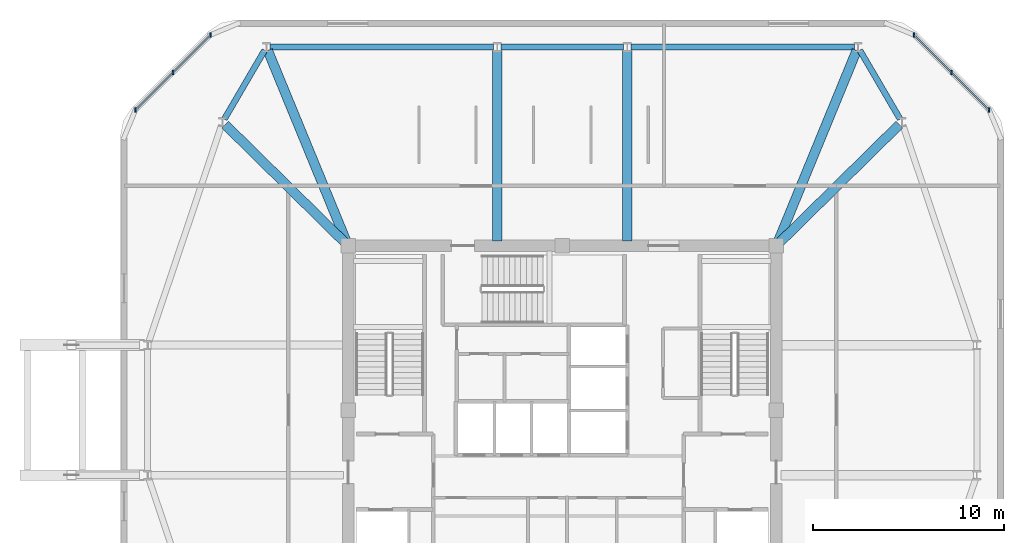
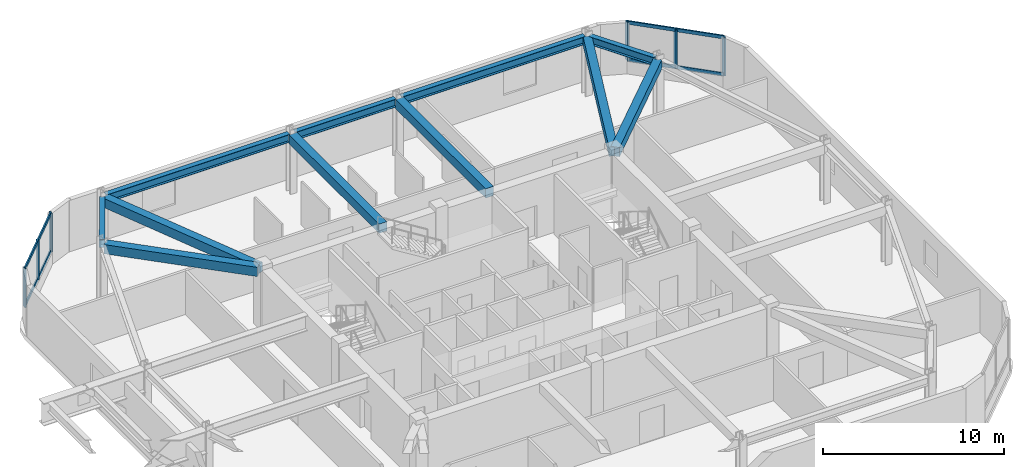
# One storey, part 4 of 9: 11 beams, 10 members, 2 elements without a shape of their own.
"""IFC4 building model written with IfcOpenShell, lengths in metres."""

from ifc_helpers import new_model, si_unit, derived_unit, direction, frame, origin, origin_2d, place, context, subcontext, project, spatial, rectangle, i_section, extrude, material, material_profile, profile_set, type_object, element, aggregate, save


model = new_model("IFC4")

# Units and contexts
model_context = context("Model", 3, precision=1e-05, world=origin(), true_north=direction((0.0, 1.0)))
body_context = subcontext(model_context, "Body", "Model", "MODEL_VIEW")
ifc_project = project(units=[si_unit("LENGTHUNIT", "METRE"), si_unit("AREAUNIT", "SQUARE_METRE"), si_unit("VOLUMEUNIT", "CUBIC_METRE"), si_unit("PLANEANGLEUNIT", "RADIAN"), si_unit("MASSUNIT", "GRAM", prefix="KILO"), derived_unit("THERMALTRANSMITTANCEUNIT", [(si_unit("POWERUNIT", "WATT"), 1), (si_unit("LENGTHUNIT", "METRE"), -2), (si_unit("THERMODYNAMICTEMPERATUREUNIT", "KELVIN"), -1)])], contexts=[model_context])

# Site, building, storey
site_placement = place(None, origin())
site = spatial("IfcSite", under=ifc_project, at=site_placement, CompositionType="ELEMENT")
building_placement = place(site_placement, origin())
building = spatial("IfcBuilding", under=site, at=building_placement, Name="Koralith Skygarden Medical Center", CompositionType="ELEMENT")
storey_placement = place(building_placement, frame((0.0, 0.0, 286.02001953125)))
storey = spatial("IfcBuildingStorey", under=building, at=storey_placement, Name="L74", CompositionType="ELEMENT", Elevation=286.02001953125)

# Curtain wall, members
ifc_material_1 = material(Name="Clear Laminated Glass", Category="glass")
curtain_wall_type = type_object("IfcCurtainWallType", Name="CW-8 Crown Lookout Low-Iron Curtain Wall", PredefinedType="NOTDEFINED", material=ifc_material_1)
curtain_wall_1_placement = place(storey_placement, origin())
curtain_wall_1 = element("IfcCurtainWall", 1, at=curtain_wall_1_placement, inside=storey, type_object=curtain_wall_type, Name="Curtain Wall CW-L74-NE", PredefinedType="NOTDEFINED")
ifc_material_2 = material(Name="Aluminium 6063-T6", Category="aluminium")
ifc_material_profile_1 = material_profile(ifc_material_2, rectangle(XDim=0.089111328125, YDim=0.25, at=origin_2d()), Name="MUL89X250")
ifc_profile_set_1 = profile_set([ifc_material_profile_1], Name="Aluminium 6063-T6")
member_type_1 = type_object("IfcMemberType", Name="CW-8 Extruded Mullion 89x250", PredefinedType="MULLION", material=ifc_profile_set_1)
member_1_placement = place(storey_placement, frame((59.319091796875, 41.595947265625, 0.85009765625), z_axis=(0.0, 0.0, 1.0), x_axis=(1.0, 0.0, 0.0)))
member_1 = element("IfcMember", 2, at=member_1_placement, type_object=member_type_1, Name="CW-L74-NE Mullion 1", PredefinedType="MULLION", context=body_context, shape_type="SweptSolid", body=[
    extrude(rectangle(XDim=0.089111328125, YDim=0.25, at=origin_2d()), origin(), (0.0, 0.0, 1.0), 2.60986328125),
])
member_2_placement = place(storey_placement, frame((57.35791015625, 43.556884765625, 0.85009765625), z_axis=(0.0, 0.0, 1.0), x_axis=(1.0, 0.0, 0.0)))
member_2 = element("IfcMember", 3, at=member_2_placement, type_object=member_type_1, Name="CW-L74-NE Mullion 2", PredefinedType="MULLION", context=body_context, shape_type="SweptSolid", body=[
    extrude(rectangle(XDim=0.089111328125, YDim=0.25, at=origin_2d()), origin(), (0.0, 0.0, 1.0), 2.60986328125),
])
member_3_placement = place(storey_placement, frame((55.39599609375, 45.51904296875, 0.85009765625), z_axis=(0.0, 0.0, 1.0), x_axis=(1.0, 0.0, 0.0)))
member_3 = element("IfcMember", 4, at=member_3_placement, type_object=member_type_1, Name="CW-L74-NE Mullion 3", PredefinedType="MULLION", context=body_context, shape_type="SweptSolid", body=[
    extrude(rectangle(XDim=0.089111328125, YDim=0.25, at=origin_2d()), origin(), (0.0, 0.0, 1.0), 2.60986328125),
])

curtain_wall_2_placement = place(storey_placement, origin())
curtain_wall_2 = element("IfcCurtainWall", 5, at=curtain_wall_2_placement, inside=storey, type_object=curtain_wall_type, Name="Curtain Wall CW-L74-NW", PredefinedType="NOTDEFINED")
member_4_placement = place(storey_placement, frame((18.60400390625, 45.51904296875, 0.85009765625), z_axis=(0.0, 0.0, 1.0), x_axis=(1.0, 0.0, 0.0)))
member_4 = element("IfcMember", 6, at=member_4_placement, type_object=member_type_1, Name="CW-L74-NW Mullion 1", PredefinedType="MULLION", context=body_context, shape_type="SweptSolid", body=[
    extrude(rectangle(XDim=0.089111328125, YDim=0.25, at=origin_2d()), origin(), (0.0, 0.0, 1.0), 2.60986328125),
])
member_5_placement = place(storey_placement, frame((16.64208984375, 43.556884765625, 0.85009765625), z_axis=(0.0, 0.0, 1.0), x_axis=(1.0, 0.0, 0.0)))
member_5 = element("IfcMember", 7, at=member_5_placement, type_object=member_type_1, Name="CW-L74-NW Mullion 2", PredefinedType="MULLION", context=body_context, shape_type="SweptSolid", body=[
    extrude(rectangle(XDim=0.089111328125, YDim=0.25, at=origin_2d()), origin(), (0.0, 0.0, 1.0), 2.60986328125),
])
member_6_placement = place(storey_placement, frame((14.680908203125, 41.595947265625, 0.85009765625), z_axis=(0.0, 0.0, 1.0), x_axis=(1.0, 0.0, 0.0)))
member_6 = element("IfcMember", 8, at=member_6_placement, type_object=member_type_1, Name="CW-L74-NW Mullion 3", PredefinedType="MULLION", context=body_context, shape_type="SweptSolid", body=[
    extrude(rectangle(XDim=0.089111328125, YDim=0.25, at=origin_2d()), origin(), (0.0, 0.0, 1.0), 2.60986328125),
])

# Member
ifc_material_profile_2 = material_profile(ifc_material_2, rectangle(XDim=0.083984375, YDim=0.22509765625, at=origin_2d()), Name="TRN84X225")
ifc_profile_set_2 = profile_set([ifc_material_profile_2], Name="Aluminium 6063-T6")
member_type_2 = type_object("IfcMemberType", Name="CW-8 Thermal Transom 84x225", PredefinedType="USERDEFINED", material=ifc_profile_set_2)
member_7_placement = place(storey_placement, frame((59.319091796875, 41.595947265625, 0.89990234375), z_axis=(-0.707106781187, 0.707106781187, 0.0), x_axis=(-0.707106781187, -0.707106781187, 0.0)))
member_7 = element("IfcMember", 9, at=member_7_placement, type_object=member_type_2, Name="CW-L74-NE Transom 1", ObjectType="TRANSOM", PredefinedType="USERDEFINED", context=body_context, shape_type="SweptSolid", body=[
    extrude(rectangle(XDim=0.083984375, YDim=0.22509765625, at=origin_2d()), origin(), (0.0, 0.0, 1.0), 5.548095703125),
])

member_8_placement = place(storey_placement, frame((59.319091796875, 41.595947265625, 3.409912109375), z_axis=(-0.707106781187, 0.707106781187, 0.0), x_axis=(-0.707106781187, -0.707106781187, 0.0)))
member_8 = element("IfcMember", 10, at=member_8_placement, type_object=member_type_2, Name="CW-L74-NE Transom 2", ObjectType="TRANSOM", PredefinedType="USERDEFINED", context=body_context, shape_type="SweptSolid", body=[
    extrude(rectangle(XDim=0.083984375, YDim=0.22509765625, at=origin_2d()), origin(), (0.0, 0.0, 1.0), 5.548095703125),
])

aggregate(curtain_wall_1, [member_1, member_2, member_3, member_7, member_8])

member_9_placement = place(storey_placement, frame((18.60400390625, 45.51904296875, 0.89990234375), z_axis=(-0.707106781187, -0.707106781187, 0.0), x_axis=(0.707106781187, -0.707106781187, 0.0)))
member_9 = element("IfcMember", 11, at=member_9_placement, type_object=member_type_2, Name="CW-L74-NW Transom 1", ObjectType="TRANSOM", PredefinedType="USERDEFINED", context=body_context, shape_type="SweptSolid", body=[
    extrude(rectangle(XDim=0.083984375, YDim=0.22509765625, at=origin_2d()), origin(), (0.0, 0.0, 1.0), 5.548095703125),
])

member_10_placement = place(storey_placement, frame((18.60400390625, 45.51904296875, 3.409912109375), z_axis=(-0.707106781187, -0.707106781187, 0.0), x_axis=(0.707106781187, -0.707106781187, 0.0)))
member_10 = element("IfcMember", 12, at=member_10_placement, type_object=member_type_2, Name="CW-L74-NW Transom 2", ObjectType="TRANSOM", PredefinedType="USERDEFINED", context=body_context, shape_type="SweptSolid", body=[
    extrude(rectangle(XDim=0.083984375, YDim=0.22509765625, at=origin_2d()), origin(), (0.0, 0.0, 1.0), 5.548095703125),
])

aggregate(curtain_wall_2, [member_4, member_5, member_6, member_9, member_10])

# Beams
ifc_material_3 = material(Name="Steel ASTM A992 Grade 50", Category="steel")
ifc_material_profile_3 = material_profile(ifc_material_3, i_section(OverallWidth=0.31201171875, OverallDepth=0.54296875, WebThickness=0.0126953125, FlangeThickness=0.020263671875, at=origin_2d()), Name="W21X101")
ifc_profile_set_3 = profile_set([ifc_material_profile_3], Name="Steel ASTM A992 Grade 50")
beam_type_1 = type_object("IfcBeamType", Name="Canopy Ring Beam W21X101", PredefinedType="SPANDREL", material=ifc_profile_set_3)
beam_1_placement = place(storey_placement, frame((54.6669921875, 41.1201171875, 3.7490234375), z_axis=(-0.504951618525, 0.863147648406, 0.0), x_axis=(-0.863147648406, -0.504951618525, 0.0)))
element("IfcBeam", 13, at=beam_1_placement, inside=storey, type_object=beam_type_1, Name="L74 Perimeter Spandrel Beam SP-10", PredefinedType="SPANDREL", context=body_context, shape_type="SweptSolid", body=[
    extrude(i_section(OverallWidth=0.31201171875, OverallDepth=0.54296875, WebThickness=0.0126953125, FlangeThickness=0.020263671875, at=origin_2d()), origin(), (0.0, 0.0, 1.0), 4.170654296875),
])
beam_2_placement = place(storey_placement, frame((52.282958984375, 44.8798828125, 3.7490234375), z_axis=(-1.0, 0.0, 0.0), x_axis=(0.0, -1.0, 0.0)))
element("IfcBeam", 14, at=beam_2_placement, inside=storey, type_object=beam_type_1, Name="L74 Perimeter Spandrel Beam SP-11", PredefinedType="SPANDREL", context=body_context, shape_type="SweptSolid", body=[
    extrude(i_section(OverallWidth=0.31201171875, OverallDepth=0.54296875, WebThickness=0.0126953125, FlangeThickness=0.020263671875, at=origin_2d()), origin(), (0.0, 0.0, 1.0), 11.697998046875),
])
beam_3_placement = place(storey_placement, frame((40.215087890625, 44.8798828125, 3.7490234375), z_axis=(-1.0, 0.0, 0.0), x_axis=(0.0, -1.0, 0.0)))
element("IfcBeam", 15, at=beam_3_placement, inside=storey, type_object=beam_type_1, Name="L74 Perimeter Spandrel Beam SP-12", PredefinedType="SPANDREL", context=body_context, shape_type="SweptSolid", body=[
    extrude(i_section(OverallWidth=0.31201171875, OverallDepth=0.54296875, WebThickness=0.0126953125, FlangeThickness=0.020263671875, at=origin_2d()), origin(), (0.0, 0.0, 1.0), 6.43017578125),
])
beam_4_placement = place(storey_placement, frame((33.4150390625, 44.8798828125, 3.7490234375), z_axis=(-1.0, 0.0, 0.0), x_axis=(0.0, -1.0, 0.0)))
element("IfcBeam", 16, at=beam_4_placement, inside=storey, type_object=beam_type_1, Name="L74 Perimeter Spandrel Beam SP-13", PredefinedType="SPANDREL", context=body_context, shape_type="SweptSolid", body=[
    extrude(i_section(OverallWidth=0.31201171875, OverallDepth=0.54296875, WebThickness=0.0126953125, FlangeThickness=0.020263671875, at=origin_2d()), origin(), (0.0, 0.0, 1.0), 11.697998046875),
])
beam_5_placement = place(storey_placement, frame((21.43896484375, 44.719970703125, 3.7490234375), z_axis=(-0.504951618525, -0.863147648406, 0.0), x_axis=(0.863147648406, -0.504951618525, 0.0)))
element("IfcBeam", 17, at=beam_5_placement, inside=storey, type_object=beam_type_1, Name="L74 Perimeter Spandrel Beam SP-14", PredefinedType="SPANDREL", context=body_context, shape_type="SweptSolid", body=[
    extrude(i_section(OverallWidth=0.31201171875, OverallDepth=0.54296875, WebThickness=0.0126953125, FlangeThickness=0.020263671875, at=origin_2d()), origin(), (0.0, 0.0, 1.0), 4.170654296875),
])
ifc_material_4 = material(Name="Concrete C45/55", Category="concrete")
ifc_material_profile_4 = material_profile(ifc_material_4, rectangle(XDim=0.5, YDim=0.6201171875, at=origin_2d()), Name="RCB500X620")
ifc_profile_set_4 = profile_set([ifc_material_profile_4], Name="Concrete C45/55")
beam_type_2 = type_object("IfcBeamType", Name="Upper Radial Collector Beam RCB500X620", PredefinedType="BEAM", material=ifc_profile_set_4)
beam_6_placement = place(storey_placement, frame((48.3779296875, 34.675048828125, 3.7099609375), z_axis=(0.712499385168, 0.701672734354, 0.0), x_axis=(-0.701672734354, 0.712499385168, 0.0)))
element("IfcBeam", 18, at=beam_6_placement, inside=storey, type_object=beam_type_2, Name="L74 Radial Collector Beam RB-10", PredefinedType="BEAM", context=body_context, shape_type="SweptSolid", body=[
    extrude(rectangle(XDim=0.5, YDim=0.6201171875, at=origin_2d()), origin(), (0.0, 0.0, 1.0), 8.77197265625),
])
beam_7_placement = place(storey_placement, frame((48.294921875, 34.73095703125, 3.7099609375), z_axis=(0.380308155568, 0.924859830898, 0.0), x_axis=(-0.924859830898, 0.380308155568, 0.0)))
element("IfcBeam", 19, at=beam_7_placement, inside=storey, type_object=beam_type_2, Name="L74 Radial Collector Beam RB-11", PredefinedType="BEAM", context=body_context, shape_type="SweptSolid", body=[
    extrude(rectangle(XDim=0.5, YDim=0.6201171875, at=origin_2d()), origin(), (0.0, 0.0, 1.0), 10.78857421875),
])
for number, where, z_axis, x_axis, name in (
    (20, (40.39990234375, 34.75, 3.7099609375), (0.0, 1.0, 0.0), (-1.0, 0.0, 0.0), "L74 Radial Collector Beam RB-12"),
    (21, (33.60009765625, 34.75, 3.7099609375), (0.0, 1.0, 0.0), (-1.0, 0.0, 0.0), "L74 Radial Collector Beam RB-13"),
):
    element("IfcBeam", number, at=place(storey_placement, frame(where, z_axis=z_axis, x_axis=x_axis)), inside=storey, type_object=beam_type_2, Name=name, PredefinedType="BEAM", context=body_context, shape_type="SweptSolid", body=[
        extrude(rectangle(XDim=0.5, YDim=0.6201171875, at=origin_2d()), origin(), (0.0, 0.0, 1.0), 9.945068359375),
    ])
beam_8_placement = place(storey_placement, frame((25.705078125, 34.73095703125, 3.7099609375), z_axis=(-0.380308155568, 0.924859830898, 0.0), x_axis=(-0.924859830898, -0.380308155568, 0.0)))
element("IfcBeam", 22, at=beam_8_placement, inside=storey, type_object=beam_type_2, Name="L74 Radial Collector Beam RB-14", PredefinedType="BEAM", context=body_context, shape_type="SweptSolid", body=[
    extrude(rectangle(XDim=0.5, YDim=0.6201171875, at=origin_2d()), origin(), (0.0, 0.0, 1.0), 10.78857421875),
])
beam_9_placement = place(storey_placement, frame((25.6220703125, 34.675048828125, 3.7099609375), z_axis=(-0.712499385168, 0.701672734354, 0.0), x_axis=(-0.701672734354, -0.712499385168, 0.0)))
element("IfcBeam", 23, at=beam_9_placement, inside=storey, type_object=beam_type_2, Name="L74 Radial Collector Beam RB-15", PredefinedType="BEAM", context=body_context, shape_type="SweptSolid", body=[
    extrude(rectangle(XDim=0.5, YDim=0.6201171875, at=origin_2d()), origin(), (0.0, 0.0, 1.0), 8.77197265625),
])

save(model, "model.ifc")
